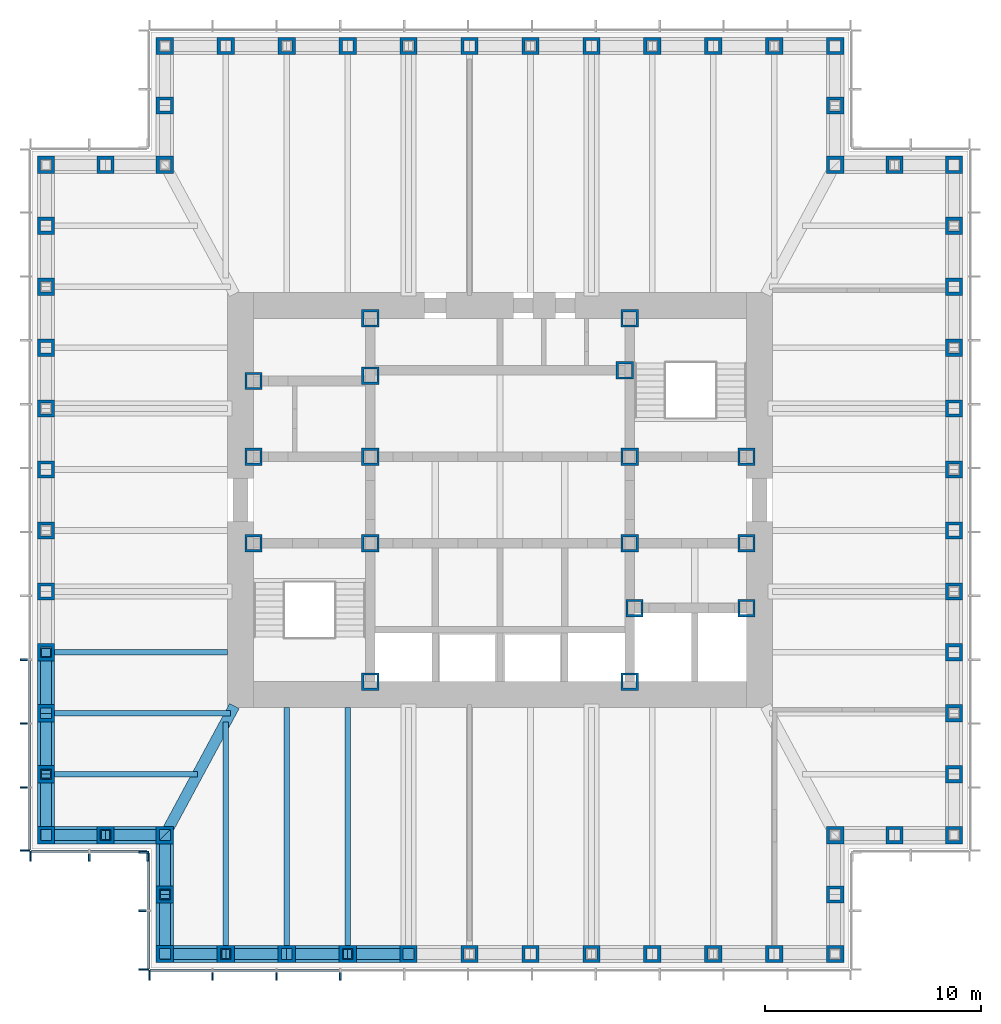
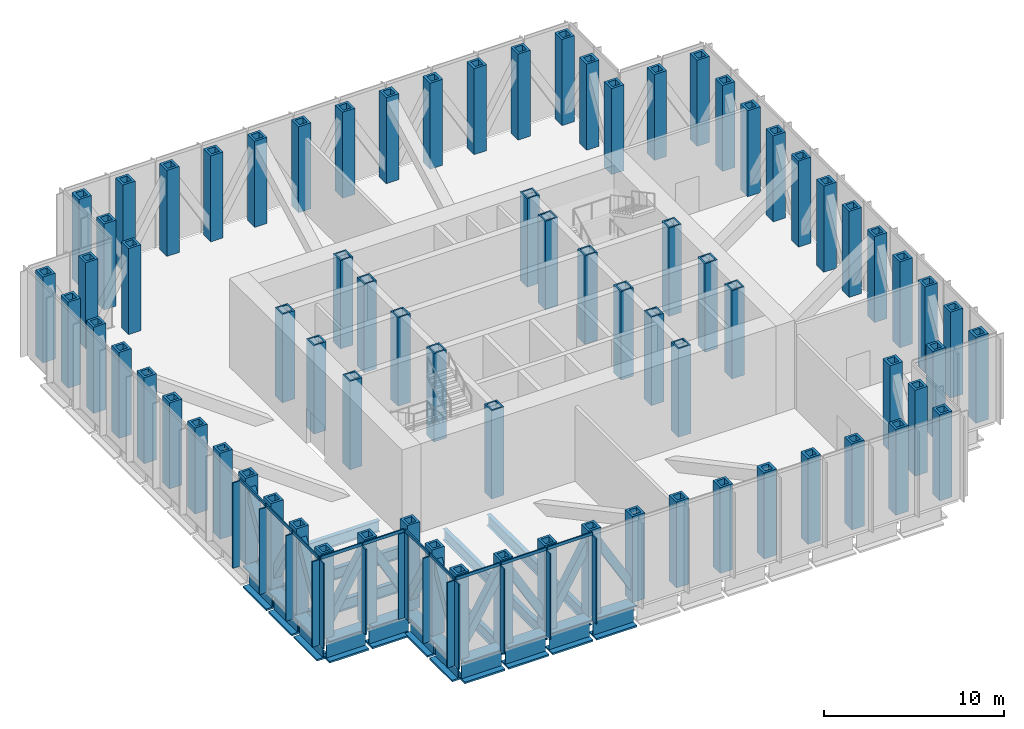
# One storey, part 1 of 12: 77 columns, 35 members, 18 beams, 4 elements without a shape of their own.
"""IFC4 building model written with IfcOpenShell, lengths in metres."""

from ifc_helpers import new_model, si_unit, direction, frame, origin, origin_2d, place, context, subcontext, project, spatial, rectangle, hollow_rectangle, i_section, extrude, material, material_profile, profile_set, type_object, element, aggregate, save


model = new_model("IFC4")

# Units and contexts
model_context = context("Model", 3, precision=1e-05, world=origin(), true_north=direction((0.0, 1.0)))
body_context = subcontext(model_context, "Body", "Model", "MODEL_VIEW")
ifc_project = project(units=[si_unit("LENGTHUNIT", "METRE"), si_unit("AREAUNIT", "SQUARE_METRE"), si_unit("VOLUMEUNIT", "CUBIC_METRE"), si_unit("PLANEANGLEUNIT", "RADIAN"), si_unit("MASSUNIT", "GRAM", prefix="KILO")], contexts=[model_context])

# Site, building, storey
site_placement = place(None, origin())
site = spatial("IfcSite", under=ifc_project, at=site_placement, CompositionType="ELEMENT")
building_placement = place(site_placement, origin())
building = spatial("IfcBuilding", under=site, at=building_placement, Name="Daluyong Arena Tower", CompositionType="ELEMENT")
storey_placement = place(building_placement, frame((0.0, 0.0, 244.300048828125)))
storey = spatial("IfcBuildingStorey", under=building, at=storey_placement, Name="L55", CompositionType="ELEMENT", Elevation=244.300048828125)

# Columns
ifc_material_1 = material(Name="Steel ASTM A572 Grade 50", Category="steel")
ifc_material_profile_1 = material_profile(ifc_material_1, hollow_rectangle(XDim=0.800048828125, YDim=0.800048828125, WallThickness=0.1, at=origin_2d()))
ifc_profile_set_1 = profile_set([ifc_material_profile_1], Name="Steel ASTM A572 Grade 50")
column_type_1 = type_object("IfcColumnType", Name="Core boundary column BX800X100", PredefinedType="COLUMN", material=ifc_profile_set_1)
for number, where, z_axis, x_axis, name in (
    (1, (44.60009765625, 78.0, 0.0), (0.0, 0.0, 1.0), (1.0, 0.0, 0.0), "core boundary column BC2"),
    (2, (44.60009765625, 82.0, 0.0), (0.0, 0.0, 1.0), (1.0, 0.0, 0.0), "core boundary column BC2"),
    (3, (44.60009765625, 85.5, 0.0), (0.0, 0.0, 1.0), (1.0, 0.0, 0.0), "core boundary column BC2"),
    (4, (50.0, 71.60009765625, 0.0), (0.0, 0.0, 1.0), (1.0, 0.0, 0.0), "core boundary column BC2"),
    (5, (50.0, 78.0, 0.0), (0.0, 0.0, 1.0), (1.0, 0.0, 0.0), "core boundary column BC2"),
    (6, (50.0, 82.0, 0.0), (0.0, 0.0, 1.0), (1.0, 0.0, 0.0), "core boundary column BC2"),
    (7, (50.0, 85.75, 0.0), (0.0, 0.0, 1.0), (1.0, 0.0, 0.0), "core boundary column BC2"),
    (8, (50.0, 88.39990234375, 0.0), (0.0, 0.0, 1.0), (1.0, 0.0, 0.0), "core boundary column BC2"),
    (9, (61.77490234375, 86.0, 0.0), (0.0, 0.0, 1.0), (1.0, 0.0, 0.0), "core boundary column BC2"),
    (10, (62.0, 71.60009765625, 0.0), (0.0, 0.0, 1.0), (1.0, 0.0, 0.0), "core boundary column BC2"),
    (11, (62.0, 78.0, 0.0), (0.0, 0.0, 1.0), (1.0, 0.0, 0.0), "core boundary column BC2"),
    (12, (62.0, 82.0, 0.0), (0.0, 0.0, 1.0), (1.0, 0.0, 0.0), "core boundary column BC2"),
    (13, (62.0, 88.39990234375, 0.0), (0.0, 0.0, 1.0), (1.0, 0.0, 0.0), "core boundary column BC2"),
    (14, (62.22509765625, 75.0, 0.0), (0.0, 0.0, 1.0), (1.0, 0.0, 0.0), "core boundary column BC2"),
    (15, (67.39990234375, 75.0, 0.0), (0.0, 0.0, 1.0), (1.0, 0.0, 0.0), "core boundary column BC2"),
    (16, (67.39990234375, 78.0, 0.0), (0.0, 0.0, 1.0), (1.0, 0.0, 0.0), "core boundary column BC2"),
    (17, (67.39990234375, 82.0, 0.0), (0.0, 0.0, 1.0), (1.0, 0.0, 0.0), "core boundary column BC2"),
):
    element("IfcColumn", number, at=place(storey_placement, frame(where, z_axis=z_axis, x_axis=x_axis)), inside=storey, type_object=column_type_1, Name=name, PredefinedType="COLUMN", context=body_context, shape_type="SweptSolid", body=[
        extrude(hollow_rectangle(XDim=0.800048828125, YDim=0.800048828125, WallThickness=0.1, at=origin_2d()), origin(), (0.0, 0.0, 1.0), 6.0),
    ])
ifc_material_2 = material(Name="Steel ASTM A588 Grade 50", Category="steel")
ifc_material_profile_2 = material_profile(ifc_material_2, hollow_rectangle(XDim=0.800048828125, YDim=0.800048828125, WallThickness=0.15, at=origin_2d()))
ifc_profile_set_2 = profile_set([ifc_material_profile_2], Name="Steel ASTM A588 Grade 50")
column_type_2 = type_object("IfcColumnType", Name="Tube column BX800X150 BX800X150", PredefinedType="COLUMN", material=ifc_profile_set_2)
for number, where, z_axis, x_axis, name in (
    (18, (40.5, 59.0, 0.0), (0.0, 0.0, 1.0), (1.0, 0.0, 0.0), "tube column bx800x150 TC7"),
    (19, (43.318115234375, 59.0, 0.0), (0.0, 0.0, 1.0), (1.0, 0.0, 0.0), "tube column bx800x150 TC7"),
    (20, (46.136474609375, 59.0, 0.0), (0.0, 0.0, 1.0), (1.0, 0.0, 0.0), "tube column bx800x150 TC7"),
    (21, (48.95458984375, 59.0, 0.0), (0.0, 0.0, 1.0), (1.0, 0.0, 0.0), "tube column bx800x150 TC7"),
    (22, (51.772705078125, 59.0, 0.0), (0.0, 0.0, 1.0), (1.0, 0.0, 0.0), "tube column bx800x150 TC7"),
    (23, (54.5908203125, 59.0, 0.0), (0.0, 0.0, 1.0), (1.0, 0.0, 0.0), "tube column bx800x150 TC7"),
    (24, (57.4091796875, 59.0, 0.0), (0.0, 0.0, 1.0), (1.0, 0.0, 0.0), "tube column bx800x150 TC7"),
    (25, (60.227294921875, 59.0, 0.0), (0.0, 0.0, 1.0), (1.0, 0.0, 0.0), "tube column bx800x150 TC7"),
    (26, (63.04541015625, 59.0, 0.0), (0.0, 0.0, 1.0), (1.0, 0.0, 0.0), "tube column bx800x150 TC7"),
    (27, (65.863525390625, 59.0, 0.0), (0.0, 0.0, 1.0), (1.0, 0.0, 0.0), "tube column bx800x150 TC7"),
    (28, (68.681884765625, 59.0, 0.0), (0.0, 0.0, 1.0), (1.0, 0.0, 0.0), "tube column bx800x150 TC7"),
    (29, (71.5, 59.0, 0.0), (0.0, 0.0, 1.0), (0.0, 1.0, 0.0), "tube column bx800x150 TC7"),
    (30, (71.5, 61.75, 0.0), (0.0, 0.0, 1.0), (0.0, 1.0, 0.0), "tube column bx800x150 TC7"),
    (31, (71.5, 64.5, 0.0), (0.0, 0.0, 1.0), (1.0, 0.0, 0.0), "tube column bx800x150 TC7"),
    (32, (74.25, 64.5, 0.0), (0.0, 0.0, 1.0), (1.0, 0.0, 0.0), "tube column bx800x150 TC7"),
    (33, (77.0, 64.5, 0.0), (0.0, 0.0, 1.0), (0.0, 1.0, 0.0), "tube column bx800x150 TC7"),
    (34, (77.0, 67.318115234375, 0.0), (0.0, 0.0, 1.0), (0.0, 1.0, 0.0), "tube column bx800x150 TC7"),
    (35, (77.0, 70.136474609375, 0.0), (0.0, 0.0, 1.0), (0.0, 1.0, 0.0), "tube column bx800x150 TC7"),
    (36, (77.0, 72.95458984375, 0.0), (0.0, 0.0, 1.0), (0.0, 1.0, 0.0), "tube column bx800x150 TC7"),
    (37, (77.0, 75.772705078125, 0.0), (0.0, 0.0, 1.0), (0.0, 1.0, 0.0), "tube column bx800x150 TC7"),
    (38, (77.0, 78.5908203125, 0.0), (0.0, 0.0, 1.0), (0.0, 1.0, 0.0), "tube column bx800x150 TC7"),
    (39, (77.0, 81.4091796875, 0.0), (0.0, 0.0, 1.0), (0.0, 1.0, 0.0), "tube column bx800x150 TC7"),
    (40, (77.0, 84.227294921875, 0.0), (0.0, 0.0, 1.0), (0.0, 1.0, 0.0), "tube column bx800x150 TC7"),
    (41, (77.0, 87.04541015625, 0.0), (0.0, 0.0, 1.0), (0.0, 1.0, 0.0), "tube column bx800x150 TC7"),
    (42, (77.0, 89.863525390625, 0.0), (0.0, 0.0, 1.0), (0.0, 1.0, 0.0), "tube column bx800x150 TC7"),
    (43, (77.0, 92.681884765625, 0.0), (0.0, 0.0, 1.0), (0.0, 1.0, 0.0), "tube column bx800x150 TC7"),
    (44, (77.0, 95.5, 0.0), (0.0, 0.0, 1.0), (1.0, 0.0, 0.0), "tube column bx800x150 TC7"),
    (45, (74.25, 95.5, 0.0), (0.0, 0.0, 1.0), (1.0, 0.0, 0.0), "tube column bx800x150 TC7"),
    (46, (71.5, 95.5, 0.0), (0.0, 0.0, 1.0), (0.0, 1.0, 0.0), "tube column bx800x150 TC7"),
    (47, (71.5, 98.25, 0.0), (0.0, 0.0, 1.0), (0.0, 1.0, 0.0), "tube column bx800x150 TC7"),
    (48, (71.5, 101.0, 0.0), (0.0, 0.0, 1.0), (1.0, 0.0, 0.0), "tube column bx800x150 TC7"),
    (49, (68.681884765625, 101.0, 0.0), (0.0, 0.0, 1.0), (1.0, 0.0, 0.0), "tube column bx800x150 TC7"),
    (50, (65.863525390625, 101.0, 0.0), (0.0, 0.0, 1.0), (1.0, 0.0, 0.0), "tube column bx800x150 TC7"),
    (51, (63.04541015625, 101.0, 0.0), (0.0, 0.0, 1.0), (1.0, 0.0, 0.0), "tube column bx800x150 TC7"),
    (52, (60.227294921875, 101.0, 0.0), (0.0, 0.0, 1.0), (1.0, 0.0, 0.0), "tube column bx800x150 TC7"),
    (53, (57.4091796875, 101.0, 0.0), (0.0, 0.0, 1.0), (1.0, 0.0, 0.0), "tube column bx800x150 TC7"),
    (54, (54.5908203125, 101.0, 0.0), (0.0, 0.0, 1.0), (1.0, 0.0, 0.0), "tube column bx800x150 TC7"),
    (55, (51.772705078125, 101.0, 0.0), (0.0, 0.0, 1.0), (1.0, 0.0, 0.0), "tube column bx800x150 TC7"),
    (56, (48.95458984375, 101.0, 0.0), (0.0, 0.0, 1.0), (1.0, 0.0, 0.0), "tube column bx800x150 TC7"),
    (57, (46.136474609375, 101.0, 0.0), (0.0, 0.0, 1.0), (1.0, 0.0, 0.0), "tube column bx800x150 TC7"),
    (58, (43.318115234375, 101.0, 0.0), (0.0, 0.0, 1.0), (1.0, 0.0, 0.0), "tube column bx800x150 TC7"),
    (59, (40.5, 101.0, 0.0), (0.0, 0.0, 1.0), (0.0, 1.0, 0.0), "tube column bx800x150 TC7"),
    (60, (40.5, 98.25, 0.0), (0.0, 0.0, 1.0), (0.0, 1.0, 0.0), "tube column bx800x150 TC7"),
    (61, (40.5, 95.5, 0.0), (0.0, 0.0, 1.0), (1.0, 0.0, 0.0), "tube column bx800x150 TC7"),
    (62, (37.75, 95.5, 0.0), (0.0, 0.0, 1.0), (1.0, 0.0, 0.0), "tube column bx800x150 TC7"),
    (63, (35.0, 95.5, 0.0), (0.0, 0.0, 1.0), (0.0, 1.0, 0.0), "tube column bx800x150 TC7"),
    (64, (35.0, 92.681884765625, 0.0), (0.0, 0.0, 1.0), (0.0, 1.0, 0.0), "tube column bx800x150 TC7"),
    (65, (35.0, 89.863525390625, 0.0), (0.0, 0.0, 1.0), (0.0, 1.0, 0.0), "tube column bx800x150 TC7"),
    (66, (35.0, 87.04541015625, 0.0), (0.0, 0.0, 1.0), (0.0, 1.0, 0.0), "tube column bx800x150 TC7"),
    (67, (35.0, 84.227294921875, 0.0), (0.0, 0.0, 1.0), (0.0, 1.0, 0.0), "tube column bx800x150 TC7"),
    (68, (35.0, 81.4091796875, 0.0), (0.0, 0.0, 1.0), (0.0, 1.0, 0.0), "tube column bx800x150 TC7"),
    (69, (35.0, 78.5908203125, 0.0), (0.0, 0.0, 1.0), (0.0, 1.0, 0.0), "tube column bx800x150 TC7"),
    (70, (35.0, 75.772705078125, 0.0), (0.0, 0.0, 1.0), (0.0, 1.0, 0.0), "tube column bx800x150 TC7"),
    (71, (35.0, 72.95458984375, 0.0), (0.0, 0.0, 1.0), (0.0, 1.0, 0.0), "tube column bx800x150 TC7"),
    (72, (35.0, 70.136474609375, 0.0), (0.0, 0.0, 1.0), (0.0, 1.0, 0.0), "tube column bx800x150 TC7"),
    (73, (35.0, 67.318115234375, 0.0), (0.0, 0.0, 1.0), (0.0, 1.0, 0.0), "tube column bx800x150 TC7"),
    (74, (35.0, 64.5, 0.0), (0.0, 0.0, 1.0), (1.0, 0.0, 0.0), "tube column bx800x150 TC7"),
    (75, (37.75, 64.5, 0.0), (0.0, 0.0, 1.0), (1.0, 0.0, 0.0), "tube column bx800x150 TC7"),
    (76, (40.5, 64.5, 0.0), (0.0, 0.0, 1.0), (0.0, 1.0, 0.0), "tube column bx800x150 TC7"),
    (77, (40.5, 61.75, 0.0), (0.0, 0.0, 1.0), (0.0, 1.0, 0.0), "tube column bx800x150 TC7"),
):
    element("IfcColumn", number, at=place(storey_placement, frame(where, z_axis=z_axis, x_axis=x_axis)), inside=storey, type_object=column_type_2, Name=name, PredefinedType="COLUMN", context=body_context, shape_type="SweptSolid", body=[
        extrude(hollow_rectangle(XDim=0.800048828125, YDim=0.800048828125, WallThickness=0.15, at=origin_2d()), origin(), (0.0, 0.0, 1.0), 5.83984375),
    ])

# Members
ifc_material_3 = material(Name="Steel ASTM A572 Grade 50", Category="steel")
ifc_material_profile_3 = material_profile(ifc_material_3, hollow_rectangle(XDim=0.5, YDim=0.5, WallThickness=0.04, at=origin_2d()))
ifc_profile_set_3 = profile_set([ifc_material_profile_3], Name="Steel ASTM A572 Grade 50")
member_type_1 = type_object("IfcMemberType", Name="Belt truss diagonal BX500X40", PredefinedType="BRACE", material=ifc_profile_set_3)
for number, where, z_axis, x_axis, name in (
    (78, (40.5, 59.0, 0.5), (0.503187844061, 0.0, 0.86417706148), (0.0, 1.0, 0.0), "belt truss diagonal BT2"),
    (79, (46.136474609375, 59.0, 0.5), (-0.503220397931, 0.0, 0.864158105387), (0.0, -1.0, 0.0), "belt truss diagonal BT2"),
    (80, (46.136474609375, 59.0, 0.5), (0.503187844061, 0.0, 0.86417706148), (0.0, 1.0, 0.0), "belt truss diagonal BT2"),
    (81, (51.772705078125, 59.0, 0.5), (-0.503187844061, 0.0, 0.86417706148), (0.0, -1.0, 0.0), "belt truss diagonal BT2"),
    (82, (35.0, 70.136474609375, 0.5), (0.0, 0.503187844061, 0.86417706148), (-1.0, 0.0, 0.0), "belt truss diagonal BT2"),
    (83, (35.0, 70.136474609375, 0.5), (0.0, -0.503220397931, 0.864158105387), (1.0, 0.0, 0.0), "belt truss diagonal BT2"),
    (84, (35.0, 64.5, 0.5), (0.0, 0.503187844061, 0.86417706148), (-1.0, 0.0, 0.0), "belt truss diagonal BT2"),
):
    element("IfcMember", number, at=place(storey_placement, frame(where, z_axis=z_axis, x_axis=x_axis)), inside=storey, type_object=member_type_1, Name=name, PredefinedType="BRACE", context=body_context, shape_type="SweptSolid", body=[
        extrude(hollow_rectangle(XDim=0.5, YDim=0.5, WallThickness=0.04, at=origin_2d()), origin(), (0.0, 0.0, 1.0), 5.6005859375),
    ])
for number, where, z_axis, x_axis, name in (
    (85, (35.0, 64.5, 0.5), (0.494021463923, 0.0, 0.869449707104), (0.0, 1.0, 0.0), "belt truss diagonal BT2"),
    (86, (40.5, 64.5, 0.5), (-0.494021463923, 0.0, 0.869449707104), (0.0, -1.0, 0.0), "belt truss diagonal BT2"),
    (87, (40.5, 64.5, 0.5), (0.0, -0.494021463923, 0.869449707104), (1.0, 0.0, 0.0), "belt truss diagonal BT2"),
    (88, (40.5, 59.0, 0.5), (0.0, 0.494021463923, 0.869449707104), (-1.0, 0.0, 0.0), "belt truss diagonal BT2"),
):
    element("IfcMember", number, at=place(storey_placement, frame(where, z_axis=z_axis, x_axis=x_axis)), inside=storey, type_object=member_type_1, Name=name, PredefinedType="BRACE", context=body_context, shape_type="SweptSolid", body=[
        extrude(hollow_rectangle(XDim=0.5, YDim=0.5, WallThickness=0.04, at=origin_2d()), origin(), (0.0, 0.0, 1.0), 5.566650390625),
    ])

# Curtain wall, members
ifc_material_4 = material(Name="Bronze anodised aluminium and glass", Category="aluminium")
curtain_wall_type = type_object("IfcCurtainWallType", Name="Curtain wall CW6", PredefinedType="USERDEFINED", material=ifc_material_4)
curtain_wall_1_placement = place(storey_placement, origin())
curtain_wall_1 = element("IfcCurtainWall", 89, at=curtain_wall_1_placement, inside=storey, type_object=curtain_wall_type, Name="curtain wall L55 S", ObjectType="UNITISED CURTAIN WALL", PredefinedType="USERDEFINED")
ifc_material_5 = material(Name="Bronze anodised aluminium fin", Category="aluminium")
ifc_material_profile_4 = material_profile(ifc_material_5, rectangle(XDim=0.449951171875, YDim=0.080078125, at=origin_2d()))
ifc_profile_set_4 = profile_set([ifc_material_profile_4], Name="Bronze anodised aluminium fin")
member_type_2 = type_object("IfcMemberType", Name="CW6 bronze fin 450x80", PredefinedType="MULLION", material=ifc_profile_set_4)
member_1_placement = place(storey_placement, frame((39.7900390625, 58.02490234375, 0.0), z_axis=(0.0, 0.0, 1.0), x_axis=(0.0, 1.0, 0.0)))
member_1 = element("IfcMember", 90, at=member_1_placement, type_object=member_type_2, Name="curtain wall L55 S fin 1", PredefinedType="MULLION", context=body_context, shape_type="SweptSolid", body=[
    extrude(rectangle(XDim=0.449951171875, YDim=0.080078125, at=origin_2d()), origin(), (0.0, 0.0, 1.0), 5.800048828125),
])
member_2_placement = place(storey_placement, frame((42.70458984375, 58.02490234375, 0.0), z_axis=(0.0, 0.0, 1.0), x_axis=(0.0, 1.0, 0.0)))
member_2 = element("IfcMember", 91, at=member_2_placement, type_object=member_type_2, Name="curtain wall L55 S fin 2", PredefinedType="MULLION", context=body_context, shape_type="SweptSolid", body=[
    extrude(rectangle(XDim=0.449951171875, YDim=0.080078125, at=origin_2d()), origin(), (0.0, 0.0, 1.0), 5.800048828125),
])
member_3_placement = place(storey_placement, frame((45.6591796875, 58.02490234375, 0.0), z_axis=(0.0, 0.0, 1.0), x_axis=(0.0, 1.0, 0.0)))
member_3 = element("IfcMember", 92, at=member_3_placement, type_object=member_type_2, Name="curtain wall L55 S fin 3", PredefinedType="MULLION", context=body_context, shape_type="SweptSolid", body=[
    extrude(rectangle(XDim=0.449951171875, YDim=0.080078125, at=origin_2d()), origin(), (0.0, 0.0, 1.0), 5.800048828125),
])
member_4_placement = place(storey_placement, frame((48.613525390625, 58.02490234375, 0.0), z_axis=(0.0, 0.0, 1.0), x_axis=(0.0, 1.0, 0.0)))
member_4 = element("IfcMember", 93, at=member_4_placement, type_object=member_type_2, Name="curtain wall L55 S fin 4", PredefinedType="MULLION", context=body_context, shape_type="SweptSolid", body=[
    extrude(rectangle(XDim=0.449951171875, YDim=0.080078125, at=origin_2d()), origin(), (0.0, 0.0, 1.0), 5.800048828125),
])

curtain_wall_2_placement = place(storey_placement, origin())
curtain_wall_2 = element("IfcCurtainWall", 94, at=curtain_wall_2_placement, inside=storey, type_object=curtain_wall_type, Name="curtain wall L55 W", ObjectType="UNITISED CURTAIN WALL", PredefinedType="USERDEFINED")
member_5_placement = place(storey_placement, frame((34.02490234375, 72.613525390625, 0.0), z_axis=(0.0, 0.0, 1.0), x_axis=(1.0, 0.0, 0.0)))
member_5 = element("IfcMember", 95, at=member_5_placement, type_object=member_type_2, Name="curtain wall L55 W fin 9", PredefinedType="MULLION", context=body_context, shape_type="SweptSolid", body=[
    extrude(rectangle(XDim=0.449951171875, YDim=0.080078125, at=origin_2d()), origin(), (0.0, 0.0, 1.0), 5.800048828125),
])
member_6_placement = place(storey_placement, frame((34.02490234375, 69.6591796875, 0.0), z_axis=(0.0, 0.0, 1.0), x_axis=(1.0, 0.0, 0.0)))
member_6 = element("IfcMember", 96, at=member_6_placement, type_object=member_type_2, Name="curtain wall L55 W fin 10", PredefinedType="MULLION", context=body_context, shape_type="SweptSolid", body=[
    extrude(rectangle(XDim=0.449951171875, YDim=0.080078125, at=origin_2d()), origin(), (0.0, 0.0, 1.0), 5.800048828125),
])
member_7_placement = place(storey_placement, frame((34.02490234375, 66.70458984375, 0.0), z_axis=(0.0, 0.0, 1.0), x_axis=(1.0, 0.0, 0.0)))
member_7 = element("IfcMember", 97, at=member_7_placement, type_object=member_type_2, Name="curtain wall L55 W fin 11", PredefinedType="MULLION", context=body_context, shape_type="SweptSolid", body=[
    extrude(rectangle(XDim=0.449951171875, YDim=0.080078125, at=origin_2d()), origin(), (0.0, 0.0, 1.0), 5.800048828125),
])
member_8_placement = place(storey_placement, frame((34.02490234375, 63.7900390625, 0.0), z_axis=(0.0, 0.0, 1.0), x_axis=(1.0, 0.0, 0.0)))
member_8 = element("IfcMember", 98, at=member_8_placement, type_object=member_type_2, Name="curtain wall L55 W fin 12", PredefinedType="MULLION", context=body_context, shape_type="SweptSolid", body=[
    extrude(rectangle(XDim=0.449951171875, YDim=0.080078125, at=origin_2d()), origin(), (0.0, 0.0, 1.0), 5.800048828125),
])

curtain_wall_3_placement = place(storey_placement, origin())
curtain_wall_3 = element("IfcCurtainWall", 99, at=curtain_wall_3_placement, inside=storey, type_object=curtain_wall_type, Name="curtain wall L55 SW-S", ObjectType="UNITISED CURTAIN WALL", PredefinedType="USERDEFINED")
member_9_placement = place(storey_placement, frame((34.2900390625, 63.52490234375, 0.0), z_axis=(0.0, 0.0, 1.0), x_axis=(0.0, 1.0, 0.0)))
member_9 = element("IfcMember", 100, at=member_9_placement, type_object=member_type_2, Name="curtain wall L55 SW-S fin 1", PredefinedType="MULLION", context=body_context, shape_type="SweptSolid", body=[
    extrude(rectangle(XDim=0.449951171875, YDim=0.080078125, at=origin_2d()), origin(), (0.0, 0.0, 1.0), 5.800048828125),
])
member_10_placement = place(storey_placement, frame((37.0, 63.52490234375, 0.0), z_axis=(0.0, 0.0, 1.0), x_axis=(0.0, 1.0, 0.0)))
member_10 = element("IfcMember", 101, at=member_10_placement, type_object=member_type_2, Name="curtain wall L55 SW-S fin 2", PredefinedType="MULLION", context=body_context, shape_type="SweptSolid", body=[
    extrude(rectangle(XDim=0.449951171875, YDim=0.080078125, at=origin_2d()), origin(), (0.0, 0.0, 1.0), 5.800048828125),
])
member_11_placement = place(storey_placement, frame((39.7099609375, 63.52490234375, 0.0), z_axis=(0.0, 0.0, 1.0), x_axis=(0.0, 1.0, 0.0)))
member_11 = element("IfcMember", 102, at=member_11_placement, type_object=member_type_2, Name="curtain wall L55 SW-S fin 3", PredefinedType="MULLION", context=body_context, shape_type="SweptSolid", body=[
    extrude(rectangle(XDim=0.449951171875, YDim=0.080078125, at=origin_2d()), origin(), (0.0, 0.0, 1.0), 5.800048828125),
])

curtain_wall_4_placement = place(storey_placement, origin())
curtain_wall_4 = element("IfcCurtainWall", 103, at=curtain_wall_4_placement, inside=storey, type_object=curtain_wall_type, Name="curtain wall L55 SW-W", ObjectType="UNITISED CURTAIN WALL", PredefinedType="USERDEFINED")
member_12_placement = place(storey_placement, frame((39.52490234375, 63.7099609375, 0.0), z_axis=(0.0, 0.0, 1.0), x_axis=(1.0, 0.0, 0.0)))
member_12 = element("IfcMember", 104, at=member_12_placement, type_object=member_type_2, Name="curtain wall L55 SW-W fin 1", PredefinedType="MULLION", context=body_context, shape_type="SweptSolid", body=[
    extrude(rectangle(XDim=0.449951171875, YDim=0.080078125, at=origin_2d()), origin(), (0.0, 0.0, 1.0), 5.800048828125),
])
member_13_placement = place(storey_placement, frame((39.52490234375, 61.0, 0.0), z_axis=(0.0, 0.0, 1.0), x_axis=(1.0, 0.0, 0.0)))
member_13 = element("IfcMember", 105, at=member_13_placement, type_object=member_type_2, Name="curtain wall L55 SW-W fin 2", PredefinedType="MULLION", context=body_context, shape_type="SweptSolid", body=[
    extrude(rectangle(XDim=0.449951171875, YDim=0.080078125, at=origin_2d()), origin(), (0.0, 0.0, 1.0), 5.800048828125),
])
member_14_placement = place(storey_placement, frame((39.52490234375, 58.2900390625, 0.0), z_axis=(0.0, 0.0, 1.0), x_axis=(1.0, 0.0, 0.0)))
member_14 = element("IfcMember", 106, at=member_14_placement, type_object=member_type_2, Name="curtain wall L55 SW-W fin 3", PredefinedType="MULLION", context=body_context, shape_type="SweptSolid", body=[
    extrude(rectangle(XDim=0.449951171875, YDim=0.080078125, at=origin_2d()), origin(), (0.0, 0.0, 1.0), 5.800048828125),
])

# Member
ifc_material_6 = material(Name="Bronze anodised aluminium", Category="aluminium")
ifc_material_profile_5 = material_profile(ifc_material_6, rectangle(XDim=0.080078125, YDim=0.199951171875, at=origin_2d()))
ifc_profile_set_5 = profile_set([ifc_material_profile_5], Name="Bronze anodised aluminium")
member_type_3 = type_object("IfcMemberType", Name="CW6 stack transom 200x80", PredefinedType="USERDEFINED", material=ifc_profile_set_5)
member_15_placement = place(storey_placement, frame((39.830078125, 58.25, 5.89990234375), z_axis=(1.0, 0.0, 0.0), x_axis=(0.0, 1.0, 0.0)))
member_15 = element("IfcMember", 107, at=member_15_placement, type_object=member_type_3, Name="curtain wall L55 S transom 1", ObjectType="TRANSOM", PredefinedType="USERDEFINED", context=body_context, shape_type="SweptSolid", body=[
    extrude(rectangle(XDim=0.080078125, YDim=0.199951171875, at=origin_2d()), origin(), (0.0, 0.0, 1.0), 2.83447265625),
])

member_16_placement = place(storey_placement, frame((42.74462890625, 58.25, 5.89990234375), z_axis=(1.0, 0.0, 0.0), x_axis=(0.0, 1.0, 0.0)))
member_16 = element("IfcMember", 108, at=member_16_placement, type_object=member_type_3, Name="curtain wall L55 S transom 2", ObjectType="TRANSOM", PredefinedType="USERDEFINED", context=body_context, shape_type="SweptSolid", body=[
    extrude(rectangle(XDim=0.080078125, YDim=0.199951171875, at=origin_2d()), origin(), (0.0, 0.0, 1.0), 2.87451171875),
])

member_17_placement = place(storey_placement, frame((45.698974609375, 58.25, 5.89990234375), z_axis=(1.0, 0.0, 0.0), x_axis=(0.0, 1.0, 0.0)))
member_17 = element("IfcMember", 109, at=member_17_placement, type_object=member_type_3, Name="curtain wall L55 S transom 3", ObjectType="TRANSOM", PredefinedType="USERDEFINED", context=body_context, shape_type="SweptSolid", body=[
    extrude(rectangle(XDim=0.080078125, YDim=0.199951171875, at=origin_2d()), origin(), (0.0, 0.0, 1.0), 2.874755859375),
])

aggregate(curtain_wall_1, [member_1, member_2, member_3, member_4, member_15, member_16, member_17])

member_18_placement = place(storey_placement, frame((34.25, 72.57373046875, 5.89990234375), z_axis=(0.0, -1.0, 0.0), x_axis=(1.0, 0.0, 0.0)))
member_18 = element("IfcMember", 110, at=member_18_placement, type_object=member_type_3, Name="curtain wall L55 W transom 9", ObjectType="TRANSOM", PredefinedType="USERDEFINED", context=body_context, shape_type="SweptSolid", body=[
    extrude(rectangle(XDim=0.080078125, YDim=0.199951171875, at=origin_2d()), origin(), (0.0, 0.0, 1.0), 2.874755859375),
])

member_19_placement = place(storey_placement, frame((34.25, 69.619140625, 5.89990234375), z_axis=(0.0, -1.0, 0.0), x_axis=(1.0, 0.0, 0.0)))
member_19 = element("IfcMember", 111, at=member_19_placement, type_object=member_type_3, Name="curtain wall L55 W transom 10", ObjectType="TRANSOM", PredefinedType="USERDEFINED", context=body_context, shape_type="SweptSolid", body=[
    extrude(rectangle(XDim=0.080078125, YDim=0.199951171875, at=origin_2d()), origin(), (0.0, 0.0, 1.0), 2.87451171875),
])

member_20_placement = place(storey_placement, frame((34.25, 66.66455078125, 5.89990234375), z_axis=(0.0, -1.0, 0.0), x_axis=(1.0, 0.0, 0.0)))
member_20 = element("IfcMember", 112, at=member_20_placement, type_object=member_type_3, Name="curtain wall L55 W transom 11", ObjectType="TRANSOM", PredefinedType="USERDEFINED", context=body_context, shape_type="SweptSolid", body=[
    extrude(rectangle(XDim=0.080078125, YDim=0.199951171875, at=origin_2d()), origin(), (0.0, 0.0, 1.0), 2.83447265625),
])

aggregate(curtain_wall_2, [member_5, member_6, member_7, member_8, member_18, member_19, member_20])

member_21_placement = place(storey_placement, frame((34.330078125, 63.75, 5.89990234375), z_axis=(1.0, 0.0, 0.0), x_axis=(0.0, 1.0, 0.0)))
member_21 = element("IfcMember", 113, at=member_21_placement, type_object=member_type_3, Name="curtain wall L55 SW-S transom 1", ObjectType="TRANSOM", PredefinedType="USERDEFINED", context=body_context, shape_type="SweptSolid", body=[
    extrude(rectangle(XDim=0.080078125, YDim=0.199951171875, at=origin_2d()), origin(), (0.0, 0.0, 1.0), 2.6298828125),
])

member_22_placement = place(storey_placement, frame((37.0400390625, 63.75, 5.89990234375), z_axis=(1.0, 0.0, 0.0), x_axis=(0.0, 1.0, 0.0)))
member_22 = element("IfcMember", 114, at=member_22_placement, type_object=member_type_3, Name="curtain wall L55 SW-S transom 2", ObjectType="TRANSOM", PredefinedType="USERDEFINED", context=body_context, shape_type="SweptSolid", body=[
    extrude(rectangle(XDim=0.080078125, YDim=0.199951171875, at=origin_2d()), origin(), (0.0, 0.0, 1.0), 2.6298828125),
])

aggregate(curtain_wall_3, [member_9, member_10, member_11, member_21, member_22])

member_23_placement = place(storey_placement, frame((39.75, 63.669921875, 5.89990234375), z_axis=(0.0, -1.0, 0.0), x_axis=(1.0, 0.0, 0.0)))
member_23 = element("IfcMember", 115, at=member_23_placement, type_object=member_type_3, Name="curtain wall L55 SW-W transom 1", ObjectType="TRANSOM", PredefinedType="USERDEFINED", context=body_context, shape_type="SweptSolid", body=[
    extrude(rectangle(XDim=0.080078125, YDim=0.199951171875, at=origin_2d()), origin(), (0.0, 0.0, 1.0), 2.6298828125),
])

member_24_placement = place(storey_placement, frame((39.75, 60.9599609375, 5.89990234375), z_axis=(0.0, -1.0, 0.0), x_axis=(1.0, 0.0, 0.0)))
member_24 = element("IfcMember", 116, at=member_24_placement, type_object=member_type_3, Name="curtain wall L55 SW-W transom 2", ObjectType="TRANSOM", PredefinedType="USERDEFINED", context=body_context, shape_type="SweptSolid", body=[
    extrude(rectangle(XDim=0.080078125, YDim=0.199951171875, at=origin_2d()), origin(), (0.0, 0.0, 1.0), 2.6298828125),
])

aggregate(curtain_wall_4, [member_12, member_13, member_14, member_23, member_24])

# Beams
ifc_material_7 = material(Name="Steel ASTM A572 Grade 50", Category="steel")
ifc_material_profile_6 = material_profile(ifc_material_7, i_section(OverallWidth=0.5, OverallDepth=1.0, WebThickness=0.03, FlangeThickness=0.06, at=origin_2d()))
ifc_profile_set_6 = profile_set([ifc_material_profile_6], Name="Steel ASTM A572 Grade 50")
beam_type_1 = type_object("IfcBeamType", Name="Corner girder TB1000X500", PredefinedType="BEAM", material=ifc_profile_set_6)
beam_1_placement = place(storey_placement, frame((40.554443359375, 64.601318359375, -0.75), z_axis=(0.474119475266, 0.880460517669, 0.0), x_axis=(-0.880460517669, 0.474119475266, 0.0)))
element("IfcBeam", 117, at=beam_1_placement, inside=storey, type_object=beam_type_1, Name="corner girder DG2", PredefinedType="BEAM", context=body_context, shape_type="SweptSolid", body=[
    extrude(i_section(OverallWidth=0.5, OverallDepth=1.0, WebThickness=0.03, FlangeThickness=0.06, at=origin_2d()), origin(), (0.0, 0.0, 1.0), 6.66748046875),
])
ifc_material_8 = material(Name="Steel ASTM A992 Grade 50", Category="steel")
ifc_material_profile_7 = material_profile(ifc_material_8, i_section(OverallWidth=0.2666015625, OverallDepth=0.761962890625, WebThickness=0.014404296875, FlangeThickness=0.021484375, at=origin_2d()))
ifc_profile_set_7 = profile_set([ifc_material_profile_7], Name="Steel ASTM A992 Grade 50")
beam_type_2 = type_object("IfcBeamType", Name="Floor beam W30X116", PredefinedType="BEAM", material=ifc_profile_set_7)
beam_2_placement = place(storey_placement, frame((43.318115234375, 59.114990234375, -0.631103515625), z_axis=(0.0, 1.0, 0.0), x_axis=(-1.0, 0.0, 0.0)))
element("IfcBeam", 118, at=beam_2_placement, inside=storey, type_object=beam_type_2, Name="floor beam FB4", PredefinedType="BEAM", context=body_context, shape_type="SweptSolid", body=[
    extrude(i_section(OverallWidth=0.2666015625, OverallDepth=0.761962890625, WebThickness=0.014404296875, FlangeThickness=0.021484375, at=origin_2d()), origin(), (0.0, 0.0, 1.0), 10.618896484375),
])
for number, where, z_axis, x_axis, name in (
    (119, (46.136474609375, 59.114990234375, -0.631103515625), (0.0, 1.0, 0.0), (-1.0, 0.0, 0.0), "floor beam FB4"),
    (120, (48.95458984375, 59.114990234375, -0.631103515625), (0.0, 1.0, 0.0), (-1.0, 0.0, 0.0), "floor beam FB4"),
):
    element("IfcBeam", number, at=place(storey_placement, frame(where, z_axis=z_axis, x_axis=x_axis)), inside=storey, type_object=beam_type_2, Name=name, PredefinedType="BEAM", context=body_context, shape_type="SweptSolid", body=[
        extrude(i_section(OverallWidth=0.2666015625, OverallDepth=0.761962890625, WebThickness=0.014404296875, FlangeThickness=0.021484375, at=origin_2d()), origin(), (0.0, 0.0, 1.0), 11.284912109375),
    ])
beam_3_placement = place(storey_placement, frame((35.114990234375, 72.95458984375, -0.631103515625), z_axis=(1.0, 0.0, 0.0), x_axis=(0.0, 1.0, 0.0)))
element("IfcBeam", 121, at=beam_3_placement, inside=storey, type_object=beam_type_2, Name="floor beam FB4", PredefinedType="BEAM", context=body_context, shape_type="SweptSolid", body=[
    extrude(i_section(OverallWidth=0.2666015625, OverallDepth=0.761962890625, WebThickness=0.014404296875, FlangeThickness=0.021484375, at=origin_2d()), origin(), (0.0, 0.0, 1.0), 8.284912109375),
])
beam_4_placement = place(storey_placement, frame((35.114990234375, 70.136474609375, -0.631103515625), z_axis=(1.0, 0.0, 0.0), x_axis=(0.0, 1.0, 0.0)))
element("IfcBeam", 122, at=beam_4_placement, inside=storey, type_object=beam_type_2, Name="floor beam FB4", PredefinedType="BEAM", context=body_context, shape_type="SweptSolid", body=[
    extrude(i_section(OverallWidth=0.2666015625, OverallDepth=0.761962890625, WebThickness=0.014404296875, FlangeThickness=0.021484375, at=origin_2d()), origin(), (0.0, 0.0, 1.0), 8.419921875),
])
beam_5_placement = place(storey_placement, frame((35.114990234375, 67.318115234375, -0.631103515625), z_axis=(1.0, 0.0, 0.0), x_axis=(0.0, 1.0, 0.0)))
element("IfcBeam", 123, at=beam_5_placement, inside=storey, type_object=beam_type_2, Name="floor beam FB4", PredefinedType="BEAM", context=body_context, shape_type="SweptSolid", body=[
    extrude(i_section(OverallWidth=0.2666015625, OverallDepth=0.761962890625, WebThickness=0.014404296875, FlangeThickness=0.021484375, at=origin_2d()), origin(), (0.0, 0.0, 1.0), 6.902587890625),
])
ifc_material_9 = material(Name="Steel ASTM A588 Grade 50", Category="steel")
ifc_material_profile_8 = material_profile(ifc_material_9, i_section(OverallWidth=0.800048828125, OverallDepth=1.5, WebThickness=0.05, FlangeThickness=0.12, at=origin_2d()))
ifc_profile_set_8 = profile_set([ifc_material_profile_8], Name="Steel ASTM A588 Grade 50")
beam_type_3 = type_object("IfcBeamType", Name="Spandrel Z3 PG1500X800", PredefinedType="SPANDREL", material=ifc_profile_set_8)
beam_6_placement = place(storey_placement, frame((40.614990234375, 59.0, -1.0), z_axis=(1.0, 0.0, 0.0), x_axis=(0.0, 1.0, 0.0)))
element("IfcBeam", 124, at=beam_6_placement, inside=storey, type_object=beam_type_3, Name="spandrel z3 SB7", PredefinedType="SPANDREL", context=body_context, shape_type="SweptSolid", body=[
    extrude(i_section(OverallWidth=0.800048828125, OverallDepth=1.5, WebThickness=0.05, FlangeThickness=0.12, at=origin_2d()), origin(), (0.0, 0.0, 1.0), 2.588134765625),
])
beam_7_placement = place(storey_placement, frame((43.43310546875, 59.0, -1.0), z_axis=(1.0, 0.0, 0.0), x_axis=(0.0, 1.0, 0.0)))
element("IfcBeam", 125, at=beam_7_placement, inside=storey, type_object=beam_type_3, Name="spandrel z3 SB7", PredefinedType="SPANDREL", context=body_context, shape_type="SweptSolid", body=[
    extrude(i_section(OverallWidth=0.800048828125, OverallDepth=1.5, WebThickness=0.05, FlangeThickness=0.12, at=origin_2d()), origin(), (0.0, 0.0, 1.0), 2.58837890625),
])
for number, where, z_axis, x_axis, name in (
    (126, (46.25146484375, 59.0, -1.0), (1.0, 0.0, 0.0), (0.0, 1.0, 0.0), "spandrel z3 SB7"),
    (127, (49.069580078125, 59.0, -1.0), (1.0, 0.0, 0.0), (0.0, 1.0, 0.0), "spandrel z3 SB7"),
    (128, (35.0, 72.839599609375, -1.0), (0.0, -1.0, 0.0), (1.0, 0.0, 0.0), "spandrel z3 SB7"),
):
    element("IfcBeam", number, at=place(storey_placement, frame(where, z_axis=z_axis, x_axis=x_axis)), inside=storey, type_object=beam_type_3, Name=name, PredefinedType="SPANDREL", context=body_context, shape_type="SweptSolid", body=[
        extrude(i_section(OverallWidth=0.800048828125, OverallDepth=1.5, WebThickness=0.05, FlangeThickness=0.12, at=origin_2d()), origin(), (0.0, 0.0, 1.0), 2.588134765625),
    ])
beam_8_placement = place(storey_placement, frame((35.0, 70.021484375, -1.0), z_axis=(0.0, -1.0, 0.0), x_axis=(1.0, 0.0, 0.0)))
element("IfcBeam", 129, at=beam_8_placement, inside=storey, type_object=beam_type_3, Name="spandrel z3 SB7", PredefinedType="SPANDREL", context=body_context, shape_type="SweptSolid", body=[
    extrude(i_section(OverallWidth=0.800048828125, OverallDepth=1.5, WebThickness=0.05, FlangeThickness=0.12, at=origin_2d()), origin(), (0.0, 0.0, 1.0), 2.58837890625),
])
beam_9_placement = place(storey_placement, frame((35.0, 67.203125, -1.0), z_axis=(0.0, -1.0, 0.0), x_axis=(1.0, 0.0, 0.0)))
element("IfcBeam", 130, at=beam_9_placement, inside=storey, type_object=beam_type_3, Name="spandrel z3 SB7", PredefinedType="SPANDREL", context=body_context, shape_type="SweptSolid", body=[
    extrude(i_section(OverallWidth=0.800048828125, OverallDepth=1.5, WebThickness=0.05, FlangeThickness=0.12, at=origin_2d()), origin(), (0.0, 0.0, 1.0), 2.588134765625),
])
for number, where, z_axis, x_axis, name in (
    (131, (35.114990234375, 64.5, -1.0), (1.0, 0.0, 0.0), (0.0, 1.0, 0.0), "spandrel z3 SB7"),
    (132, (37.864990234375, 64.5, -1.0), (1.0, 0.0, 0.0), (0.0, 1.0, 0.0), "spandrel z3 SB7"),
    (133, (40.5, 64.385009765625, -1.0), (0.0, -1.0, 0.0), (1.0, 0.0, 0.0), "spandrel z3 SB7"),
    (134, (40.5, 61.635009765625, -1.0), (0.0, -1.0, 0.0), (1.0, 0.0, 0.0), "spandrel z3 SB7"),
):
    element("IfcBeam", number, at=place(storey_placement, frame(where, z_axis=z_axis, x_axis=x_axis)), inside=storey, type_object=beam_type_3, Name=name, PredefinedType="SPANDREL", context=body_context, shape_type="SweptSolid", body=[
        extrude(i_section(OverallWidth=0.800048828125, OverallDepth=1.5, WebThickness=0.05, FlangeThickness=0.12, at=origin_2d()), origin(), (0.0, 0.0, 1.0), 2.52001953125),
    ])

save(model, "model.ifc")
